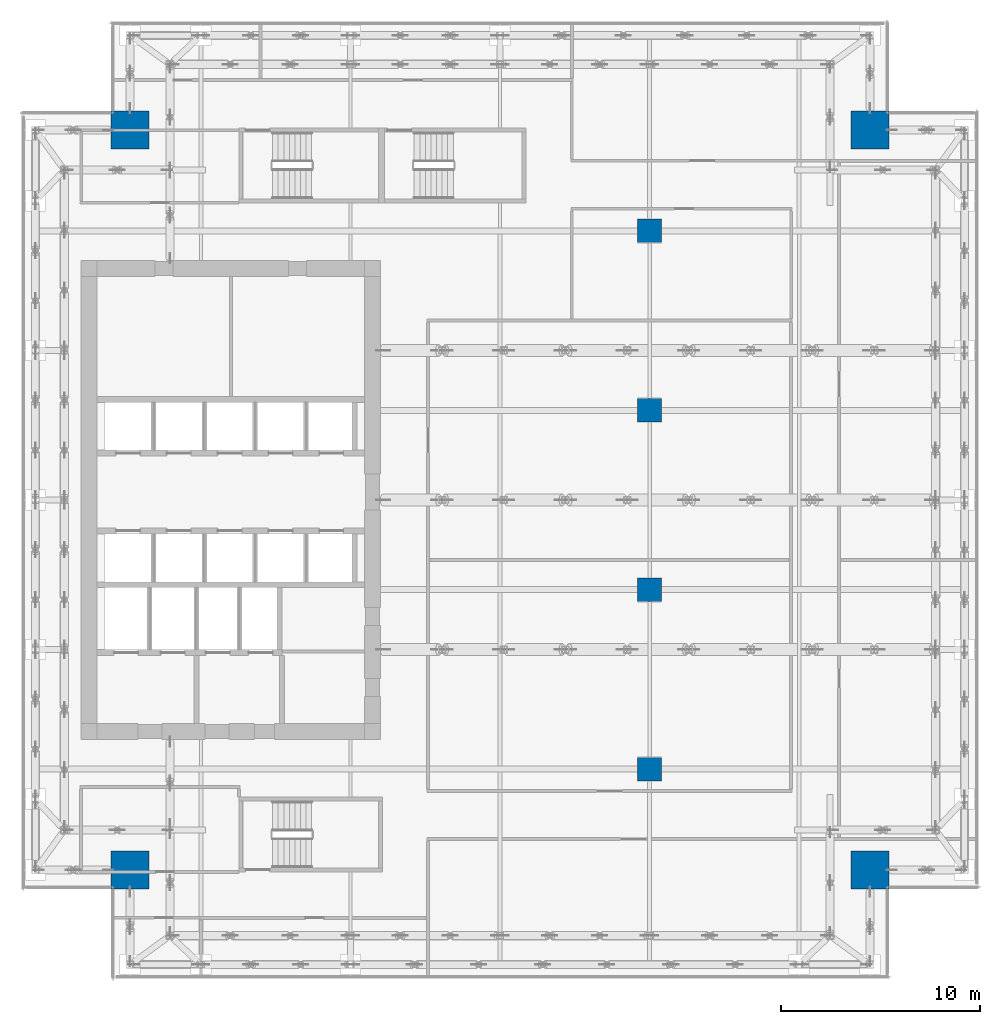
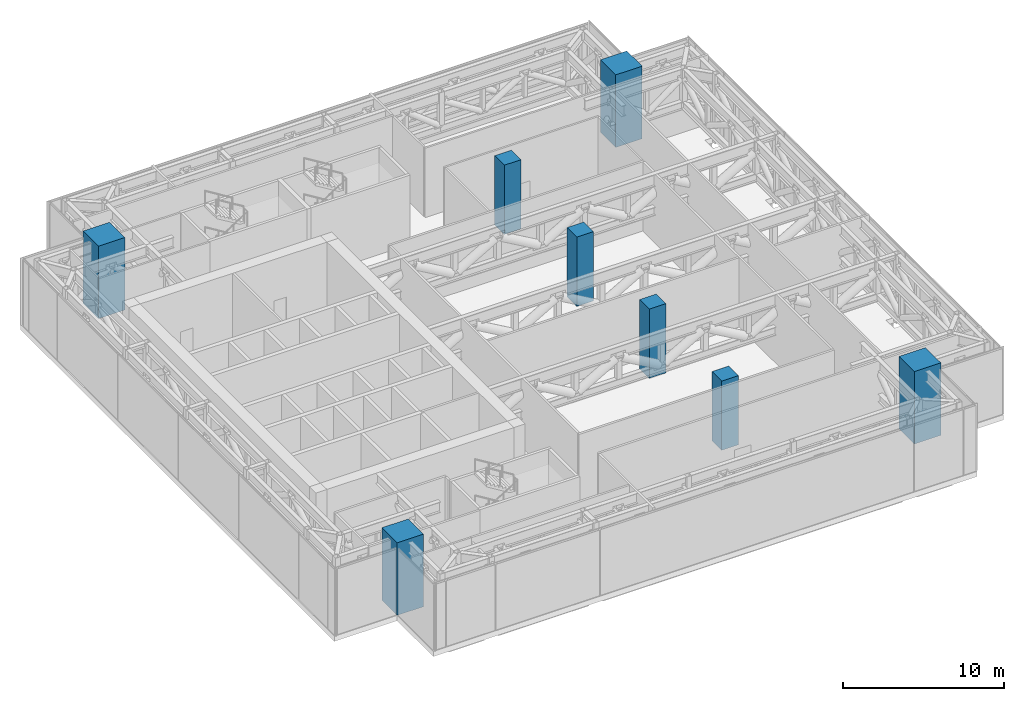
# One storey, part 1 of 36: 8 columns.
"""IFC4 building model written with IfcOpenShell, lengths in metres."""

import ifcopenshell
import ifcopenshell.guid

model = None  # the IFC model being written
_history = None  # IfcOwnerHistory: only IFC2X3 demands one
_inside = {}  # id of a spatial element -> (the spatial element, [elements in it])
_under = {}  # id of a project, library or spatial element -> (it, [spatial elements below it])
_declared = {}  # id of a project -> (the project, [libraries it declares])
_typed = {}  # id of a type object -> (the type object, [elements of that type])
_made_of = {}  # id of a material, layer set ... -> (it, [elements and type objects made of it])


def new_model(schema):
    """Start an empty IFC model of exactly this schema.

    Asked for "IFC4X3", IfcOpenShell would pick the latest addendum, in which some entities
    have other attributes; the version numbers below select the first issue.
    IFC2X3 requires an IfcOwnerHistory on every rooted entity: one is made here for all.
    """
    global model, _history
    if schema == "IFC4X3":
        model = ifcopenshell.file(schema_version=(4, 3, 0, 0))
    else:
        model = ifcopenshell.file(schema=schema)
    _inside.clear()
    _under.clear()
    _declared.clear()
    _typed.clear()
    _made_of.clear()
    _history = None
    if model.schema == "IFC2X3":
        org = make("IfcOrganization", Name="unknown")
        user = make(
            "IfcPersonAndOrganization",
            ThePerson=make("IfcPerson", FamilyName="unknown"),
            TheOrganization=org,
        )
        app = make(
            "IfcApplication",
            ApplicationDeveloper=org,
            Version="unknown",
            ApplicationFullName="unknown",
            ApplicationIdentifier="unknown",
        )
        _history = make(
            "IfcOwnerHistory",
            OwningUser=user,
            OwningApplication=app,
            ChangeAction="ADDED",
            CreationDate=0,
        )
    return model


def make(cls, **values):
    """One entity of the class cls with the attributes given. An attribute that is None is left unset."""
    return model.create_entity(
        cls, **{name: value for name, value in values.items() if value is not None}
    )


def rooted(cls, **values):
    """An entity with a GlobalId (a new one), such as an element, a storey or a relation."""
    return make(cls, GlobalId=ifcopenshell.guid.new(), OwnerHistory=_history, **values)


def si_unit(unit_type, name, prefix=None):
    """IfcSIUnit, for example si_unit("LENGTHUNIT", "METRE", prefix="MILLI")."""
    return make("IfcSIUnit", UnitType=unit_type, Prefix=prefix, Name=name)


def assignment(units):
    """IfcUnitAssignment: the units of a project."""
    return None if units is None else make("IfcUnitAssignment", Units=units)


def point(xyz):
    """IfcCartesianPoint."""
    return None if xyz is None else make("IfcCartesianPoint", Coordinates=xyz)


def direction(xyz):
    """IfcDirection."""
    return None if xyz is None else make("IfcDirection", DirectionRatios=xyz)


def frame(location, z_axis=None, x_axis=None):
    """IfcAxis2Placement3D, a coordinate frame: its origin and axes. An axis left out is left unset."""
    return make(
        "IfcAxis2Placement3D",
        Location=point(location),
        Axis=direction(z_axis),
        RefDirection=direction(x_axis),
    )


def frame_2d(location, x_axis=None):
    """IfcAxis2Placement2D, a coordinate frame in the plane: its origin and x axis."""
    return make(
        "IfcAxis2Placement2D", Location=point(location), RefDirection=direction(x_axis)
    )


def origin():
    """The frame at (0, 0, 0) with its axes left unset."""
    return frame((0.0, 0.0, 0.0))


def origin_2d():
    """The frame at (0, 0) in the plane with its x axis left unset."""
    return frame_2d((0.0, 0.0))


def place(relative_to, where):
    """IfcLocalPlacement: puts the frame where relative to a parent placement (None: the world)."""
    return make(
        "IfcLocalPlacement", PlacementRelTo=relative_to, RelativePlacement=where
    )


def context(
    kind, dimensions, precision=None, world=None, true_north=None, identifier=None
):
    """IfcGeometricRepresentationContext, for example the 3D "Model" context."""
    return make(
        "IfcGeometricRepresentationContext",
        ContextIdentifier=identifier,
        ContextType=kind,
        CoordinateSpaceDimension=dimensions,
        Precision=precision,
        WorldCoordinateSystem=world,
        TrueNorth=true_north,
    )


def subcontext(parent, identifier, kind, view, scale=None):
    """IfcGeometricRepresentationSubContext, for example "Body" below "Model"."""
    return make(
        "IfcGeometricRepresentationSubContext",
        ContextIdentifier=identifier,
        ContextType=kind,
        ParentContext=parent,
        TargetScale=scale,
        TargetView=view,
    )


def project(units=None, contexts=None):
    """IfcProject with its units and contexts."""
    return rooted(
        "IfcProject",
        Name="project",
        RepresentationContexts=contexts,
        UnitsInContext=assignment(units),
    )


def spatial(cls, under=None, at=None, **own):
    """A site, building, storey or space (cls), placed at a placement, below another one or the project."""
    s = rooted(cls, ObjectPlacement=at, **own)
    if under is not None:
        _under.setdefault(under.id(), (under, []))[1].append(s)
    return s


def profile(cls, at=None, kind="AREA", **sizes):
    """A parametric profile (cls). Its sizes go by their IFC names, for example OverallWidth=200.0."""
    return make(cls, ProfileType=kind, Position=at, **sizes)


def rectangle(**sizes):
    """IfcRectangleProfileDef."""
    return profile("IfcRectangleProfileDef", **sizes)


def extrude(swept, where, along, depth):
    """IfcExtrudedAreaSolid: the profile swept, set in the frame where, extruded along a direction by depth."""
    return make(
        "IfcExtrudedAreaSolid",
        SweptArea=swept,
        Position=where,
        ExtrudedDirection=direction(along),
        Depth=depth,
    )


def shape(context_of_items, identifier, shape_type, items):
    """IfcShapeRepresentation: the items that make up one representation, for example the "Body"."""
    return make(
        "IfcShapeRepresentation",
        ContextOfItems=context_of_items,
        RepresentationIdentifier=identifier,
        RepresentationType=shape_type,
        Items=items,
    )


def source(mapping_origin, context_of_items, identifier, shape_type, items):
    """IfcRepresentationMap: a shape defined once, which mapped items show again and again."""
    return make(
        "IfcRepresentationMap",
        MappingOrigin=mapping_origin,
        MappedRepresentation=shape(context_of_items, identifier, shape_type, items),
    )


def transform(
    local_origin,
    x_axis=None,
    y_axis=None,
    z_axis=None,
    scale=None,
    scale2=None,
    scale3=None,
    uniform=True,
):
    """IfcCartesianTransformationOperator3D, or its non-uniform kind. x_axis, y_axis, z_axis: its Axis1, 2, 3."""
    if uniform:
        return make(
            "IfcCartesianTransformationOperator3D",
            Axis1=direction(x_axis),
            Axis2=direction(y_axis),
            LocalOrigin=point(local_origin),
            Scale=scale,
            Axis3=direction(z_axis),
        )
    return make(
        "IfcCartesianTransformationOperator3DnonUniform",
        Axis1=direction(x_axis),
        Axis2=direction(y_axis),
        LocalOrigin=point(local_origin),
        Scale=scale,
        Axis3=direction(z_axis),
        Scale2=scale2,
        Scale3=scale3,
    )


def mapped(mapping_source, mapping_target):
    """IfcMappedItem: shows the shape of a source again, moved by a transform."""
    return make(
        "IfcMappedItem", MappingSource=mapping_source, MappingTarget=mapping_target
    )


def material(Name=None, Category=None):
    """IfcMaterial."""
    return make("IfcMaterial", Name=Name, Category=Category)


def material_profile(
    of_material, cross_section, Name=None, Category=None, Priority=None
):
    """IfcMaterialProfile: a cross section and its material."""
    return make(
        "IfcMaterialProfile",
        Name=Name,
        Material=of_material,
        Profile=cross_section,
        Priority=Priority,
        Category=Category,
    )


def profile_set(profiles, Name=None, composite=None):
    """IfcMaterialProfileSet."""
    return make(
        "IfcMaterialProfileSet",
        Name=Name,
        MaterialProfiles=profiles,
        CompositeProfile=composite,
    )


def made_of(thing, what):
    """Note that an element or type object is made of a material, layer set ...; save() writes the relation."""
    if what is not None:
        _made_of.setdefault(what.id(), (what, []))[1].append(thing)
    return thing


def type_object(cls, material=None, **own):
    """A type object (cls), such as IfcWallType, which elements share."""
    return made_of(rooted(cls, **own), material)


def element(
    cls,
    number,
    at=None,
    inside=None,
    cuts=None,
    type_object=None,
    material=None,
    context=None,
    identifier="Body",
    shape_type=None,
    held_by="IfcProductDefinitionShape",
    body=None,
    shapes=None,
    **own,
):
    """One element of the class cls, such as IfcWall. Its Tag is "e" and its number.

    at: its placement. inside: the storey or other place that contains it. cuts: it is an
    opening in that element (IfcRelVoidsElement). A single representation is given by context,
    identifier, shape_type and body (its items); several are given by shapes. held_by: the class
    of the entity that holds the representations. save() writes the other relations.
    """
    e = rooted(cls, Tag="e%d" % number, ObjectPlacement=at, **own)
    if body is not None:
        shapes = [shape(context, identifier, shape_type, body)]
    if shapes is not None:
        e.Representation = make(held_by, Representations=shapes)
    if inside is not None:
        _inside.setdefault(inside.id(), (inside, []))[1].append(e)
    if cuts is not None:
        rooted(
            "IfcRelVoidsElement", RelatingBuildingElement=cuts, RelatedOpeningElement=e
        )
    if type_object is not None:
        _typed.setdefault(type_object.id(), (type_object, []))[1].append(e)
    return made_of(e, material)


def aggregate(whole, parts):
    """IfcRelAggregates: a whole, such as a stair, and the parts it consists of."""
    return rooted("IfcRelAggregates", RelatingObject=whole, RelatedObjects=parts)


def save(model, path):
    """Write the relations noted so far, then the file.

    IfcRelAggregates (storeys below a building ...), IfcRelContainedInSpatialStructure (elements
    in a storey), IfcRelDefinesByType, IfcRelAssociatesMaterial and IfcRelDeclares: one each for
    every whole, place, type object, material and project.
    """
    for whole, parts in _under.values():
        aggregate(whole, parts)
    for where, things in _inside.values():
        rooted(
            "IfcRelContainedInSpatialStructure",
            RelatedElements=things,
            RelatingStructure=where,
        )
    for kind, things in _typed.values():
        rooted("IfcRelDefinesByType", RelatedObjects=things, RelatingType=kind)
    for what, things in _made_of.values():
        rooted("IfcRelAssociatesMaterial", RelatedObjects=things, RelatingMaterial=what)
    for by, libraries in _declared.values():
        rooted("IfcRelDeclares", RelatingContext=by, RelatedDefinitions=libraries)
    model.write(path)


model = new_model("IFC4")

# Units and contexts
model_context = context("Model", 3, precision=1e-05, world=origin(), true_north=direction((0.0, 1.0)))
body_context = subcontext(model_context, "Body", "Model", "MODEL_VIEW")
ifc_project = project(units=[si_unit("LENGTHUNIT", "METRE"), si_unit("AREAUNIT", "SQUARE_METRE"), si_unit("VOLUMEUNIT", "CUBIC_METRE"), si_unit("PLANEANGLEUNIT", "RADIAN"), si_unit("MASSUNIT", "GRAM", prefix="KILO")], contexts=[model_context])

# Site, building, storey
site_placement = place(None, origin())
site = spatial("IfcSite", under=ifc_project, at=site_placement, CompositionType="ELEMENT")
building_placement = place(site_placement, origin())
building = spatial("IfcBuilding", under=site, at=building_placement, Name="Khomas Fold Tower", CompositionType="ELEMENT")
storey_placement = place(building_placement, frame((0.0, 0.0, 216.699951171875)))
storey = spatial("IfcBuildingStorey", under=building, at=storey_placement, Name="L48", CompositionType="ELEMENT", Elevation=216.699951171875)

# Columns
ifc_material_1 = material(Name="Concrete C60/75", Category="concrete")
ifc_material_profile_1 = material_profile(ifc_material_1, rectangle(XDim=1.89990234375, YDim=1.89990234375, at=origin_2d()), Name="RC 1900x1900")
ifc_profile_set_1 = profile_set([ifc_material_profile_1], Name="Concrete C60/75")
column_type_1 = type_object("IfcColumnType", Name="RC 1900x1900 column", PredefinedType="COLUMN", material=ifc_profile_set_1)
shared_shape_1 = source(origin(), body_context, "Body", "SweptSolid", [
    extrude(rectangle(XDim=1.89990234375, YDim=1.89990234375, at=origin_2d()), origin(), (0.0, 0.0, 1.0), 5.5),
])
for number, where, z_axis, x_axis, name in (
    (1, (45.550048828125, 45.550048828125, 0.0), (0.0, 0.0, 1.0), (1.0, 0.0, 0.0), "CM-NE"),
    (2, (8.449951171875, 45.550048828125, 0.0), (0.0, 0.0, 1.0), (1.0, 0.0, 0.0), "CM-NW"),
    (3, (45.550048828125, 8.449951171875, 0.0), (0.0, 0.0, 1.0), (1.0, 0.0, 0.0), "CM-SE"),
    (4, (8.449951171875, 8.449951171875, 0.0), (0.0, 0.0, 1.0), (1.0, 0.0, 0.0), "CM-SW"),
):
    element("IfcColumn", number, at=place(storey_placement, frame(where, z_axis=z_axis, x_axis=x_axis)), inside=storey, type_object=column_type_1, Name=name, PredefinedType="COLUMN", context=body_context, shape_type="MappedRepresentation", body=[
        mapped(shared_shape_1, transform((0.0, 0.0, 0.0))),
    ])
ifc_material_2 = material(Name="Concrete C60/75", Category="concrete")
ifc_material_profile_2 = material_profile(ifc_material_2, rectangle(XDim=1.199951171875, YDim=1.199951171875, at=origin_2d()), Name="RC 1200x1200")
ifc_profile_set_2 = profile_set([ifc_material_profile_2], Name="Concrete C60/75")
column_type_2 = type_object("IfcColumnType", Name="RC 1200x1200 column", PredefinedType="COLUMN", material=ifc_profile_set_2)
shared_shape_2 = source(origin(), body_context, "Body", "SweptSolid", [
    extrude(rectangle(XDim=1.199951171875, YDim=1.199951171875, at=origin_2d()), origin(), (0.0, 0.0, 1.0), 5.25),
])
for number, where, z_axis, x_axis, name in (
    (5, (34.5, 13.5, 0.0), (0.0, 0.0, 1.0), (1.0, 0.0, 0.0), "C-10-H"),
    (6, (34.5, 22.5, 0.0), (0.0, 0.0, 1.0), (1.0, 0.0, 0.0), "C-10-K"),
    (7, (34.5, 31.5, 0.0), (0.0, 0.0, 1.0), (1.0, 0.0, 0.0), "C-10-M"),
    (8, (34.5, 40.5, 0.0), (0.0, 0.0, 1.0), (1.0, 0.0, 0.0), "C-10-P"),
):
    element("IfcColumn", number, at=place(storey_placement, frame(where, z_axis=z_axis, x_axis=x_axis)), inside=storey, type_object=column_type_2, Name=name, PredefinedType="COLUMN", context=body_context, shape_type="MappedRepresentation", body=[
        mapped(shared_shape_2, transform((0.0, 0.0, 0.0))),
    ])

save(model, "model.ifc")
